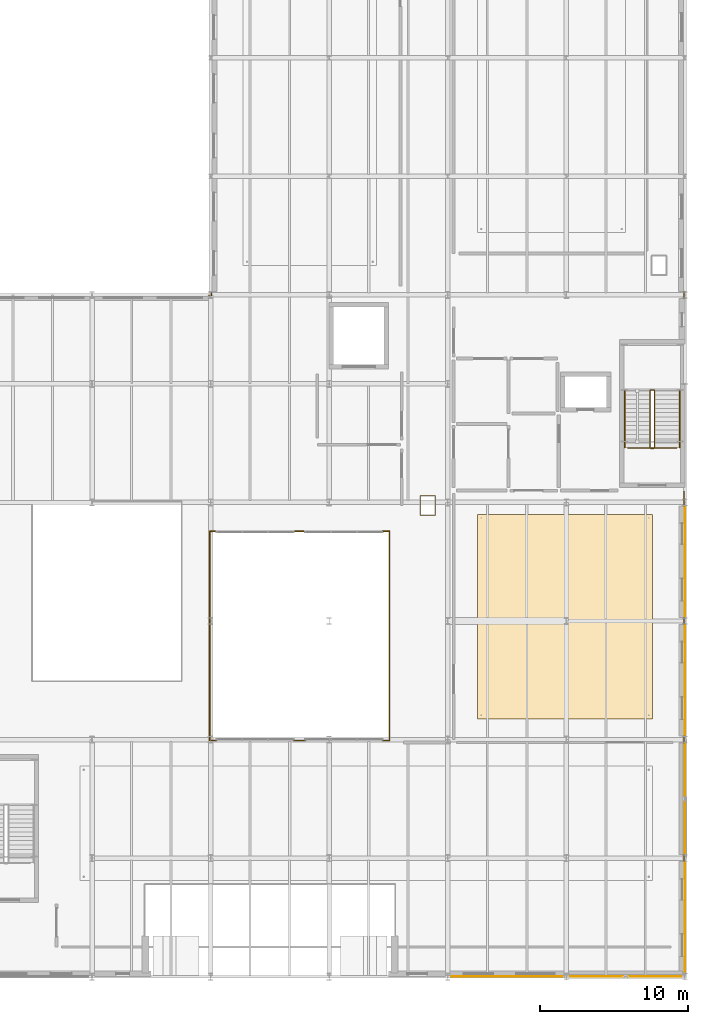
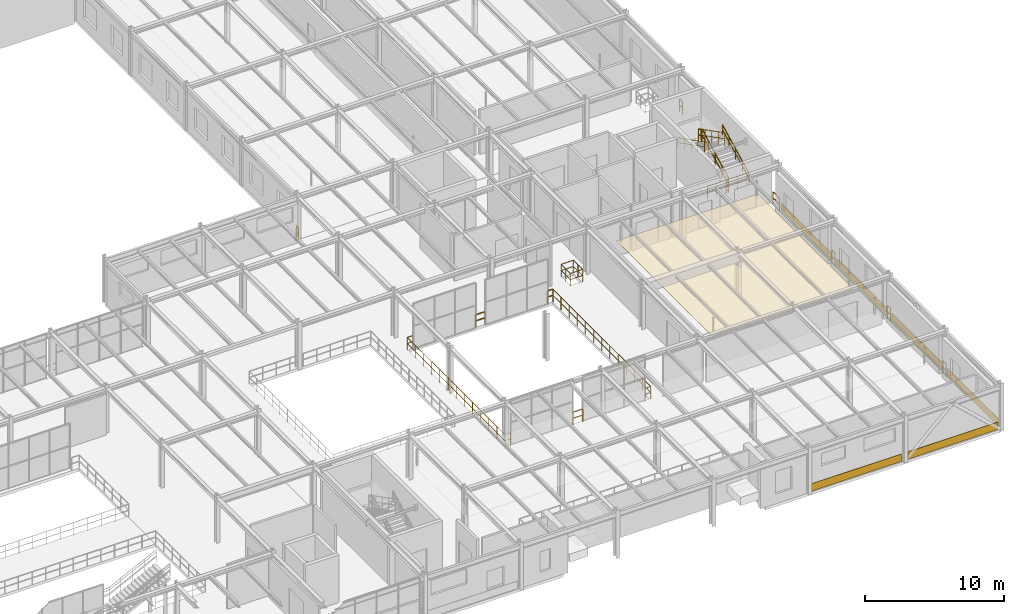
# One storey, part 122 of 124: 20 railings, 7 coverings.
"""IFC4 building model written with IfcOpenShell, lengths in metres."""

from ifc_helpers import new_model, si_unit, direction, frame, origin, origin_2d, place, context, subcontext, project, spatial, polyline, rectangle, circle, outline, extrude, material, layer, layer_set, type_object, element, save


model = new_model("IFC4")

# Units and contexts
model_context = context("Model", 3, precision=1e-05, world=origin(), true_north=direction((0.0, 1.0)))
body_context = subcontext(model_context, "Body", "Model", "MODEL_VIEW")
ifc_project = project(units=[si_unit("LENGTHUNIT", "METRE"), si_unit("AREAUNIT", "SQUARE_METRE"), si_unit("VOLUMEUNIT", "CUBIC_METRE"), si_unit("PLANEANGLEUNIT", "RADIAN"), si_unit("MASSUNIT", "GRAM", prefix="KILO")], contexts=[model_context])

# Site, building, storey
site_placement = place(None, origin())
site = spatial("IfcSite", under=ifc_project, at=site_placement, CompositionType="ELEMENT")
building_placement = place(site_placement, origin())
building = spatial("IfcBuilding", under=site, at=building_placement, Name="Sundkrona Museum", CompositionType="ELEMENT")
storey_placement = place(building_placement, frame((0.0, 0.0, 17.60009765625)))
storey = spatial("IfcBuildingStorey", under=building, at=storey_placement, Name="L03", CompositionType="ELEMENT", Elevation=17.60009765625)

# Coverings
ifc_material_1 = material(Name="Perforated Acoustic Gypsum and Mineral Wool Ceiling", Category="other")
ifc_layer_1 = layer(ifc_material_1, 0.0400390625)
ifc_layer_set_1 = layer_set([ifc_layer_1], Name="Perforated Acoustic Gypsum and Mineral Wool Ceiling")
covering_type_1 = type_object("IfcCoveringType", Name="COV-CEIL-AC", PredefinedType="CEILING", material=ifc_layer_set_1)
covering_placement = place(storey_placement, frame((0.0, 0.0, 2.5498046875)))
element("IfcCovering", 1, at=covering_placement, inside=storey, type_object=covering_type_1, Name="L03 Ornithology Exhibition Hall Acoustic Ceiling", PredefinedType="CEILING", context=body_context, shape_type="SweptSolid", body=[
    extrude(outline(polyline([(154.0, 17.39990234375), (165.800048828125, 17.39990234375), (165.800048828125, 31.199951171875), (154.0, 31.199951171875), (154.0, 17.39990234375)])), origin(), (0.0, 0.0, 1.0), 0.0400390625),
])
ifc_material_2 = material(Name="Frost-Resistant Vitrified Stoneware Mosaic Cladding", Category="masonry")
ifc_layer_2 = layer(ifc_material_2, 0.044921875)
ifc_layer_set_2 = layer_set([ifc_layer_2], Name="Frost-Resistant Vitrified Stoneware Mosaic Cladding")
covering_type_2 = type_object("IfcCoveringType", Name="COV-CLD-MOS", PredefinedType="CLADDING", material=ifc_layer_set_2)
for number, where, z_axis, x_axis, name in (
    (2, (156.0, 0.0, 0.094970703125), (0.0, 0.0, 1.0), (1.0, 0.0, 0.0), "L03 Vitrified Stoneware Mosaic Spandrel 012"),
    (3, (164.0, 0.0, 0.094970703125), (0.0, 0.0, 1.0), (1.0, 0.0, 0.0), "L03 Vitrified Stoneware Mosaic Spandrel 013"),
):
    element("IfcCovering", number, at=place(storey_placement, frame(where, z_axis=z_axis, x_axis=x_axis)), inside=storey, type_object=covering_type_2, Name=name, PredefinedType="CLADDING", context=body_context, shape_type="SweptSolid", body=[
        extrude(rectangle(XDim=7.49609375, YDim=0.044921875, at=origin_2d()), origin(), (0.0, 0.0, 1.0), 0.64990234375),
    ])
for number, where, z_axis, x_axis, name in (
    (4, (168.0, 4.0, 0.094970703125), (0.0, 0.0, 1.0), (0.0, 1.0, 0.0), "L03 Vitrified Stoneware Mosaic Spandrel 014"),
    (5, (168.0, 12.0, 0.094970703125), (0.0, 0.0, 1.0), (0.0, 1.0, 0.0), "L03 Vitrified Stoneware Mosaic Spandrel 015"),
    (6, (168.0, 20.0, 0.094970703125), (0.0, 0.0, 1.0), (0.0, 1.0, 0.0), "L03 Vitrified Stoneware Mosaic Spandrel 016"),
    (7, (168.0, 28.0, 0.094970703125), (0.0, 0.0, 1.0), (0.0, 1.0, 0.0), "L03 Vitrified Stoneware Mosaic Spandrel 017"),
):
    element("IfcCovering", number, at=place(storey_placement, frame(where, z_axis=z_axis, x_axis=x_axis)), inside=storey, type_object=covering_type_2, Name=name, PredefinedType="CLADDING", context=body_context, shape_type="SweptSolid", body=[
        extrude(rectangle(XDim=7.345947265625, YDim=0.044921875, at=origin_2d()), origin(), (0.0, 0.0, 1.0), 0.64990234375),
    ])

# Railings
ifc_material_3 = material(Name="Painted Steel S355J2 and Laminated Glass Balustrade", Category="steel")
railing_type_1 = type_object("IfcRailingType", Name="RL-GUARD-1100", PredefinedType="BALUSTRADE", material=ifc_material_3)
railing_1_placement = place(storey_placement, frame((165.949951171875, 35.699951171875, 0.14990234375)))
element("IfcRailing", 8, at=railing_1_placement, inside=storey, type_object=railing_type_1, Name="L03 ST-1 stair guard 1", PredefinedType="BALUSTRADE", context=body_context, shape_type="SweptSolid", body=[
    extrude(circle(Radius=0.02392578125, at=origin_2d()), frame((0.0, 0.0, 1.076171875), z_axis=(0.0, 0.891387850335, 0.453241326752), x_axis=(-1.0, 0.0, 0.0)), (0.0, 0.0, 1.0), 4.30224609375),
    extrude(circle(Radius=0.02392578125, at=origin_2d()), frame((0.0, 0.0, 0.550048828125), z_axis=(0.0, 0.891387850335, 0.453241326752), x_axis=(-1.0, 0.0, 0.0)), (0.0, 0.0, 1.0), 4.30224609375),
    extrude(circle(Radius=0.02099609375, at=origin_2d()), origin(), (0.0, 0.0, 1.0), 1.052001953125),
    extrude(circle(Radius=0.02099609375, at=origin_2d()), frame((0.0, 0.958740234375, 0.487548828125)), (0.0, 0.0, 1.0), 1.052001953125),
    extrude(circle(Radius=0.02099609375, at=origin_2d()), frame((0.0, 1.91748046875, 0.97509765625)), (0.0, 0.0, 1.0), 1.052001953125),
    extrude(circle(Radius=0.02099609375, at=origin_2d()), frame((0.0, 2.876220703125, 1.46240234375)), (0.0, 0.0, 1.0), 1.052001953125),
    extrude(circle(Radius=0.02099609375, at=origin_2d()), frame((0.0, 3.8349609375, 1.949951171875)), (0.0, 0.0, 1.0), 1.052001953125),
])
railing_2_placement = place(storey_placement, frame((165.89990234375, 39.5849609375, 2.099853515625)))
element("IfcRailing", 9, at=railing_2_placement, inside=storey, type_object=railing_type_1, Name="L03 ST-1 stair guard 2", PredefinedType="BALUSTRADE", context=body_context, shape_type="SweptSolid", body=[
    extrude(circle(Radius=0.02392578125, at=origin_2d()), frame((0.0, 0.0, 1.076171875), z_axis=(-1.0, 0.0, 0.0), x_axis=(0.0, -1.0, 0.0)), (0.0, 0.0, 1.0), 0.199951171875),
    extrude(circle(Radius=0.02392578125, at=origin_2d()), frame((0.0, 0.0, 0.550048828125), z_axis=(-1.0, 0.0, 0.0), x_axis=(0.0, -1.0, 0.0)), (0.0, 0.0, 1.0), 0.199951171875),
    extrude(circle(Radius=0.02099609375, at=origin_2d()), origin(), (0.0, 0.0, 1.0), 1.052001953125),
    extrude(circle(Radius=0.02099609375, at=origin_2d()), frame((-0.199951171875, 0.0, 0.0)), (0.0, 0.0, 1.0), 1.052001953125),
])
railing_3_placement = place(storey_placement, frame((165.64990234375, 39.534912109375, 2.25)))
element("IfcRailing", 10, at=railing_3_placement, inside=storey, type_object=railing_type_1, Name="L03 ST-1 stair guard 3", PredefinedType="BALUSTRADE", context=body_context, shape_type="SweptSolid", body=[
    extrude(circle(Radius=0.02392578125, at=origin_2d()), frame((0.0, 0.0, 1.076171875), z_axis=(0.0, -0.891387850335, 0.453241326752), x_axis=(1.0, 0.0, 0.0)), (0.0, 0.0, 1.0), 4.30224609375),
    extrude(circle(Radius=0.02392578125, at=origin_2d()), frame((0.0, 0.0, 0.550048828125), z_axis=(0.0, -0.891387850335, 0.453241326752), x_axis=(1.0, 0.0, 0.0)), (0.0, 0.0, 1.0), 4.30224609375),
    extrude(circle(Radius=0.02099609375, at=origin_2d()), origin(), (0.0, 0.0, 1.0), 1.052001953125),
    extrude(circle(Radius=0.02099609375, at=origin_2d()), frame((0.0, -0.958740234375, 0.487548828125)), (0.0, 0.0, 1.0), 1.052001953125),
    extrude(circle(Radius=0.02099609375, at=origin_2d()), frame((0.0, -1.91748046875, 0.97509765625)), (0.0, 0.0, 1.0), 1.052001953125),
    extrude(circle(Radius=0.02099609375, at=origin_2d()), frame((0.0, -2.876220703125, 1.46240234375)), (0.0, 0.0, 1.0), 1.052001953125),
    extrude(circle(Radius=0.02099609375, at=origin_2d()), frame((0.0, -3.8349609375, 1.949951171875)), (0.0, 0.0, 1.0), 1.052001953125),
])
railing_4_placement = place(storey_placement, frame((165.89990234375, 35.64990234375, 0.0)))
element("IfcRailing", 11, at=railing_4_placement, inside=storey, type_object=railing_type_1, Name="L03 ST-1 stair guard 4", PredefinedType="BALUSTRADE", context=body_context, shape_type="SweptSolid", body=[
    extrude(circle(Radius=0.02392578125, at=origin_2d()), frame((0.0, 0.0, 1.076171875), z_axis=(-1.0, 0.0, 0.0), x_axis=(0.0, -1.0, 0.0)), (0.0, 0.0, 1.0), 0.199951171875),
    extrude(circle(Radius=0.02392578125, at=origin_2d()), frame((0.0, 0.0, 0.550048828125), z_axis=(-1.0, 0.0, 0.0), x_axis=(0.0, -1.0, 0.0)), (0.0, 0.0, 1.0), 0.199951171875),
    extrude(circle(Radius=0.02099609375, at=origin_2d()), origin(), (0.0, 0.0, 1.0), 1.052001953125),
    extrude(circle(Radius=0.02099609375, at=origin_2d()), frame((-0.199951171875, 0.0, 0.0)), (0.0, 0.0, 1.0), 1.052001953125),
])
railing_5_placement = place(storey_placement, frame((135.847900390625, 45.93994140625, 0.0)))
element("IfcRailing", 12, at=railing_5_placement, inside=storey, type_object=railing_type_1, Name="L03 Edge Protection Balustrade 042", PredefinedType="BALUSTRADE", context=body_context, shape_type="SweptSolid", body=[
    extrude(circle(Radius=0.02392578125, at=origin_2d()), frame((0.0, 0.0, 1.09619140625), z_axis=(1.0, 0.0, 0.0), x_axis=(0.0, 1.0, 0.0)), (0.0, 0.0, 1.0), 0.212158203125),
    extrude(circle(Radius=0.02392578125, at=origin_2d()), frame((0.0, 0.0, 0.56005859375), z_axis=(1.0, 0.0, 0.0), x_axis=(0.0, 1.0, 0.0)), (0.0, 0.0, 1.0), 0.212158203125),
    extrude(circle(Radius=0.02392578125, at=origin_2d()), frame((0.212158203125, 0.0, 1.09619140625), z_axis=(0.0, 1.0, 0.0), x_axis=(-1.0, 0.0, 0.0)), (0.0, 0.0, 1.0), 0.287109375),
    extrude(circle(Radius=0.02392578125, at=origin_2d()), frame((0.212158203125, 0.0, 0.56005859375), z_axis=(0.0, 1.0, 0.0), x_axis=(-1.0, 0.0, 0.0)), (0.0, 0.0, 1.0), 0.287109375),
    extrude(circle(Radius=0.02099609375, at=origin_2d()), origin(), (0.0, 0.0, 1.0), 1.072021484375),
    extrude(circle(Radius=0.02099609375, at=origin_2d()), frame((0.212158203125, 0.0, 0.0)), (0.0, 0.0, 1.0), 1.072021484375),
    extrude(circle(Radius=0.02099609375, at=origin_2d()), frame((0.212158203125, 0.287109375, 0.0)), (0.0, 0.0, 1.0), 1.072021484375),
])
railing_6_placement = place(storey_placement, frame((136.39990234375, 30.06005859375, 0.0)))
element("IfcRailing", 13, at=railing_6_placement, inside=storey, type_object=railing_type_1, Name="L03 Edge Protection Balustrade 045", PredefinedType="BALUSTRADE", context=body_context, shape_type="SweptSolid", body=[
    extrude(circle(Radius=0.02392578125, at=origin_2d()), frame((0.0, 0.0, 1.09619140625), z_axis=(-1.0, 0.0, 0.0), x_axis=(0.0, -1.0, 0.0)), (0.0, 0.0, 1.0), 0.4599609375),
    extrude(circle(Radius=0.02392578125, at=origin_2d()), frame((0.0, 0.0, 0.56005859375), z_axis=(-1.0, 0.0, 0.0), x_axis=(0.0, -1.0, 0.0)), (0.0, 0.0, 1.0), 0.4599609375),
    extrude(circle(Radius=0.02392578125, at=origin_2d()), frame((-0.4599609375, 0.0, 1.09619140625), z_axis=(0.0, -1.0, 0.0), x_axis=(1.0, 0.0, 0.0)), (0.0, 0.0, 1.0), 14.1201171875),
    extrude(circle(Radius=0.02392578125, at=origin_2d()), frame((-0.4599609375, 0.0, 0.56005859375), z_axis=(0.0, -1.0, 0.0), x_axis=(1.0, 0.0, 0.0)), (0.0, 0.0, 1.0), 14.1201171875),
    extrude(circle(Radius=0.02392578125, at=origin_2d()), frame((-0.4599609375, -14.1201171875, 1.09619140625), z_axis=(1.0, 0.0, 0.0), x_axis=(0.0, 1.0, 0.0)), (0.0, 0.0, 1.0), 0.4599609375),
    extrude(circle(Radius=0.02392578125, at=origin_2d()), frame((-0.4599609375, -14.1201171875, 0.56005859375), z_axis=(1.0, 0.0, 0.0), x_axis=(0.0, 1.0, 0.0)), (0.0, 0.0, 1.0), 0.4599609375),
    extrude(circle(Radius=0.02099609375, at=origin_2d()), origin(), (0.0, 0.0, 1.0), 1.072021484375),
    extrude(circle(Radius=0.02099609375, at=origin_2d()), frame((-0.4599609375, 0.0, 0.0)), (0.0, 0.0, 1.0), 1.072021484375),
    extrude(circle(Radius=0.02099609375, at=origin_2d()), frame((-0.4599609375, -1.1767578125, 0.0)), (0.0, 0.0, 1.0), 1.072021484375),
    extrude(circle(Radius=0.02099609375, at=origin_2d()), frame((-0.4599609375, -2.353271484375, 0.0)), (0.0, 0.0, 1.0), 1.072021484375),
    extrude(circle(Radius=0.02099609375, at=origin_2d()), frame((-0.4599609375, -3.530029296875, 0.0)), (0.0, 0.0, 1.0), 1.072021484375),
    extrude(circle(Radius=0.02099609375, at=origin_2d()), frame((-0.4599609375, -4.706787109375, 0.0)), (0.0, 0.0, 1.0), 1.072021484375),
    extrude(circle(Radius=0.02099609375, at=origin_2d()), frame((-0.4599609375, -5.88330078125, 0.0)), (0.0, 0.0, 1.0), 1.072021484375),
    extrude(circle(Radius=0.02099609375, at=origin_2d()), frame((-0.4599609375, -7.06005859375, 0.0)), (0.0, 0.0, 1.0), 1.072021484375),
    extrude(circle(Radius=0.02099609375, at=origin_2d()), frame((-0.4599609375, -8.23681640625, 0.0)), (0.0, 0.0, 1.0), 1.072021484375),
    extrude(circle(Radius=0.02099609375, at=origin_2d()), frame((-0.4599609375, -9.413330078125, 0.0)), (0.0, 0.0, 1.0), 1.072021484375),
    extrude(circle(Radius=0.02099609375, at=origin_2d()), frame((-0.4599609375, -10.590087890625, 0.0)), (0.0, 0.0, 1.0), 1.072021484375),
    extrude(circle(Radius=0.02099609375, at=origin_2d()), frame((-0.4599609375, -11.766845703125, 0.0)), (0.0, 0.0, 1.0), 1.072021484375),
    extrude(circle(Radius=0.02099609375, at=origin_2d()), frame((-0.4599609375, -12.943359375, 0.0)), (0.0, 0.0, 1.0), 1.072021484375),
    extrude(circle(Radius=0.02099609375, at=origin_2d()), frame((-0.4599609375, -14.1201171875, 0.0)), (0.0, 0.0, 1.0), 1.072021484375),
    extrude(circle(Radius=0.02099609375, at=origin_2d()), frame((0.0, -14.1201171875, 0.0)), (0.0, 0.0, 1.0), 1.072021484375),
])
railing_7_placement = place(storey_placement, frame((141.60009765625, 15.93994140625, 0.0)))
element("IfcRailing", 14, at=railing_7_placement, inside=storey, type_object=railing_type_1, Name="L03 Edge Protection Balustrade 046", PredefinedType="BALUSTRADE", context=body_context, shape_type="SweptSolid", body=[
    extrude(circle(Radius=0.02392578125, at=origin_2d()), frame((0.0, 0.0, 1.09619140625), z_axis=(1.0, 0.0, 0.0), x_axis=(0.0, 1.0, 0.0)), (0.0, 0.0, 1.0), 0.7998046875),
    extrude(circle(Radius=0.02392578125, at=origin_2d()), frame((0.0, 0.0, 0.56005859375), z_axis=(1.0, 0.0, 0.0), x_axis=(0.0, 1.0, 0.0)), (0.0, 0.0, 1.0), 0.7998046875),
    extrude(circle(Radius=0.02099609375, at=origin_2d()), origin(), (0.0, 0.0, 1.0), 1.072021484375),
    extrude(circle(Radius=0.02099609375, at=origin_2d()), frame((0.7998046875, 0.0, 0.0)), (0.0, 0.0, 1.0), 1.072021484375),
])
railing_8_placement = place(storey_placement, frame((142.39990234375, 30.06005859375, 0.0)))
element("IfcRailing", 15, at=railing_8_placement, inside=storey, type_object=railing_type_1, Name="L03 Edge Protection Balustrade 047", PredefinedType="BALUSTRADE", context=body_context, shape_type="SweptSolid", body=[
    extrude(circle(Radius=0.02392578125, at=origin_2d()), frame((0.0, 0.0, 1.09619140625), z_axis=(-1.0, 0.0, 0.0), x_axis=(0.0, -1.0, 0.0)), (0.0, 0.0, 1.0), 0.7998046875),
    extrude(circle(Radius=0.02392578125, at=origin_2d()), frame((0.0, 0.0, 0.56005859375), z_axis=(-1.0, 0.0, 0.0), x_axis=(0.0, -1.0, 0.0)), (0.0, 0.0, 1.0), 0.7998046875),
    extrude(circle(Radius=0.02099609375, at=origin_2d()), origin(), (0.0, 0.0, 1.0), 1.072021484375),
    extrude(circle(Radius=0.02099609375, at=origin_2d()), frame((-0.7998046875, 0.0, 0.0)), (0.0, 0.0, 1.0), 1.072021484375),
])
railing_9_placement = place(storey_placement, frame((147.60009765625, 15.93994140625, 0.0)))
element("IfcRailing", 16, at=railing_9_placement, inside=storey, type_object=railing_type_1, Name="L03 Edge Protection Balustrade 049", PredefinedType="BALUSTRADE", context=body_context, shape_type="SweptSolid", body=[
    extrude(circle(Radius=0.02392578125, at=origin_2d()), frame((0.0, 0.0, 1.09619140625), z_axis=(1.0, 0.0, 0.0), x_axis=(0.0, 1.0, 0.0)), (0.0, 0.0, 1.0), 0.4599609375),
    extrude(circle(Radius=0.02392578125, at=origin_2d()), frame((0.0, 0.0, 0.56005859375), z_axis=(1.0, 0.0, 0.0), x_axis=(0.0, 1.0, 0.0)), (0.0, 0.0, 1.0), 0.4599609375),
    extrude(circle(Radius=0.02392578125, at=origin_2d()), frame((0.4599609375, 0.0, 1.09619140625), z_axis=(0.0, 1.0, 0.0), x_axis=(-1.0, 0.0, 0.0)), (0.0, 0.0, 1.0), 14.1201171875),
    extrude(circle(Radius=0.02392578125, at=origin_2d()), frame((0.4599609375, 0.0, 0.56005859375), z_axis=(0.0, 1.0, 0.0), x_axis=(-1.0, 0.0, 0.0)), (0.0, 0.0, 1.0), 14.1201171875),
    extrude(circle(Radius=0.02099609375, at=origin_2d()), origin(), (0.0, 0.0, 1.0), 1.072021484375),
    extrude(circle(Radius=0.02099609375, at=origin_2d()), frame((0.4599609375, 0.0, 0.0)), (0.0, 0.0, 1.0), 1.072021484375),
    extrude(circle(Radius=0.02099609375, at=origin_2d()), frame((0.4599609375, 1.1767578125, 0.0)), (0.0, 0.0, 1.0), 1.072021484375),
    extrude(circle(Radius=0.02099609375, at=origin_2d()), frame((0.4599609375, 2.353271484375, 0.0)), (0.0, 0.0, 1.0), 1.072021484375),
    extrude(circle(Radius=0.02099609375, at=origin_2d()), frame((0.4599609375, 3.530029296875, 0.0)), (0.0, 0.0, 1.0), 1.072021484375),
    extrude(circle(Radius=0.02099609375, at=origin_2d()), frame((0.4599609375, 4.706787109375, 0.0)), (0.0, 0.0, 1.0), 1.072021484375),
    extrude(circle(Radius=0.02099609375, at=origin_2d()), frame((0.4599609375, 5.88330078125, 0.0)), (0.0, 0.0, 1.0), 1.072021484375),
    extrude(circle(Radius=0.02099609375, at=origin_2d()), frame((0.4599609375, 7.06005859375, 0.0)), (0.0, 0.0, 1.0), 1.072021484375),
    extrude(circle(Radius=0.02099609375, at=origin_2d()), frame((0.4599609375, 8.23681640625, 0.0)), (0.0, 0.0, 1.0), 1.072021484375),
    extrude(circle(Radius=0.02099609375, at=origin_2d()), frame((0.4599609375, 9.413330078125, 0.0)), (0.0, 0.0, 1.0), 1.072021484375),
    extrude(circle(Radius=0.02099609375, at=origin_2d()), frame((0.4599609375, 10.590087890625, 0.0)), (0.0, 0.0, 1.0), 1.072021484375),
    extrude(circle(Radius=0.02099609375, at=origin_2d()), frame((0.4599609375, 11.766845703125, 0.0)), (0.0, 0.0, 1.0), 1.072021484375),
    extrude(circle(Radius=0.02099609375, at=origin_2d()), frame((0.4599609375, 12.943359375, 0.0)), (0.0, 0.0, 1.0), 1.072021484375),
    extrude(circle(Radius=0.02099609375, at=origin_2d()), frame((0.4599609375, 14.1201171875, 0.0)), (0.0, 0.0, 1.0), 1.072021484375),
])
railing_10_placement = place(storey_placement, frame((148.06005859375, 30.06005859375, 0.0)))
element("IfcRailing", 17, at=railing_10_placement, inside=storey, type_object=railing_type_1, Name="L03 Edge Protection Balustrade 050", PredefinedType="BALUSTRADE", context=body_context, shape_type="SweptSolid", body=[
    extrude(circle(Radius=0.02392578125, at=origin_2d()), frame((0.0, 0.0, 1.09619140625), z_axis=(-1.0, 0.0, 0.0), x_axis=(0.0, -1.0, 0.0)), (0.0, 0.0, 1.0), 0.4599609375),
    extrude(circle(Radius=0.02392578125, at=origin_2d()), frame((0.0, 0.0, 0.56005859375), z_axis=(-1.0, 0.0, 0.0), x_axis=(0.0, -1.0, 0.0)), (0.0, 0.0, 1.0), 0.4599609375),
    extrude(circle(Radius=0.02099609375, at=origin_2d()), origin(), (0.0, 0.0, 1.0), 1.072021484375),
    extrude(circle(Radius=0.02099609375, at=origin_2d()), frame((-0.4599609375, 0.0, 0.0)), (0.0, 0.0, 1.0), 1.072021484375),
])
railing_11_placement = place(storey_placement, frame((151.159912109375, 32.4599609375, 0.0)))
element("IfcRailing", 18, at=railing_11_placement, inside=storey, type_object=railing_type_1, Name="L03 Edge Protection Balustrade 051", PredefinedType="BALUSTRADE", context=body_context, shape_type="SweptSolid", body=[
    extrude(circle(Radius=0.02392578125, at=origin_2d()), frame((0.0, 0.0, 1.09619140625), z_axis=(-1.0, 0.0, 0.0), x_axis=(0.0, -1.0, 0.0)), (0.0, 0.0, 1.0), 1.02001953125),
    extrude(circle(Radius=0.02392578125, at=origin_2d()), frame((0.0, 0.0, 0.56005859375), z_axis=(-1.0, 0.0, 0.0), x_axis=(0.0, -1.0, 0.0)), (0.0, 0.0, 1.0), 1.02001953125),
    extrude(circle(Radius=0.02392578125, at=origin_2d()), frame((-1.02001953125, 0.0, 1.09619140625), z_axis=(0.0, -1.0, 0.0), x_axis=(1.0, 0.0, 0.0)), (0.0, 0.0, 1.0), 1.320068359375),
    extrude(circle(Radius=0.02392578125, at=origin_2d()), frame((-1.02001953125, 0.0, 0.56005859375), z_axis=(0.0, -1.0, 0.0), x_axis=(1.0, 0.0, 0.0)), (0.0, 0.0, 1.0), 1.320068359375),
    extrude(circle(Radius=0.02392578125, at=origin_2d()), frame((-1.02001953125, -1.320068359375, 1.09619140625), z_axis=(1.0, 0.0, 0.0), x_axis=(0.0, 1.0, 0.0)), (0.0, 0.0, 1.0), 1.02001953125),
    extrude(circle(Radius=0.02392578125, at=origin_2d()), frame((-1.02001953125, -1.320068359375, 0.56005859375), z_axis=(1.0, 0.0, 0.0), x_axis=(0.0, 1.0, 0.0)), (0.0, 0.0, 1.0), 1.02001953125),
    extrude(circle(Radius=0.02392578125, at=origin_2d()), frame((0.0, -1.320068359375, 1.09619140625), z_axis=(0.0, 1.0, 0.0), x_axis=(-1.0, 0.0, 0.0)), (0.0, 0.0, 1.0), 1.320068359375),
    extrude(circle(Radius=0.02392578125, at=origin_2d()), frame((0.0, -1.320068359375, 0.56005859375), z_axis=(0.0, 1.0, 0.0), x_axis=(-1.0, 0.0, 0.0)), (0.0, 0.0, 1.0), 1.320068359375),
    extrude(circle(Radius=0.02099609375, at=origin_2d()), origin(), (0.0, 0.0, 1.0), 1.072021484375),
    extrude(circle(Radius=0.02099609375, at=origin_2d()), frame((-1.02001953125, 0.0, 0.0)), (0.0, 0.0, 1.0), 1.072021484375),
    extrude(circle(Radius=0.02099609375, at=origin_2d()), frame((-1.02001953125, -0.66015625, 0.0)), (0.0, 0.0, 1.0), 1.072021484375),
    extrude(circle(Radius=0.02099609375, at=origin_2d()), frame((-1.02001953125, -1.320068359375, 0.0)), (0.0, 0.0, 1.0), 1.072021484375),
    extrude(circle(Radius=0.02099609375, at=origin_2d()), frame((0.0, -1.320068359375, 0.0)), (0.0, 0.0, 1.0), 1.072021484375),
    extrude(circle(Radius=0.02099609375, at=origin_2d()), frame((0.0, -0.66015625, 0.0)), (0.0, 0.0, 1.0), 1.072021484375),
])
for number, where, name in (
    (19, (164.179931640625, 35.6650390625, 0.0), "L03 Edge Protection Balustrade 053"),
    (20, (165.89990234375, 35.6650390625, 0.0), "L03 Edge Protection Balustrade 055"),
):
    element("IfcRailing", number, at=place(storey_placement, frame(where)), inside=storey, type_object=railing_type_1, Name=name, PredefinedType="BALUSTRADE", context=body_context, shape_type="SweptSolid", body=[
        extrude(circle(Radius=0.02392578125, at=origin_2d()), frame((0.0, 0.0, 1.09619140625), z_axis=(1.0, 0.0, 0.0), x_axis=(0.0, 1.0, 0.0)), (0.0, 0.0, 1.0), 1.52001953125),
        extrude(circle(Radius=0.02392578125, at=origin_2d()), frame((0.0, 0.0, 0.56005859375), z_axis=(1.0, 0.0, 0.0), x_axis=(0.0, 1.0, 0.0)), (0.0, 0.0, 1.0), 1.52001953125),
        extrude(circle(Radius=0.02099609375, at=origin_2d()), origin(), (0.0, 0.0, 1.0), 1.072021484375),
        extrude(circle(Radius=0.02099609375, at=origin_2d()), frame((0.760009765625, 0.0, 0.0)), (0.0, 0.0, 1.0), 1.072021484375),
        extrude(circle(Radius=0.02099609375, at=origin_2d()), frame((1.52001953125, 0.0, 0.0)), (0.0, 0.0, 1.0), 1.072021484375),
    ])
for number, where, name in (
    (21, (167.93994140625, 8.22705078125, 0.0), "L03 Edge Protection Balustrade 056"),
    (22, (167.93994140625, 16.22705078125, 0.0), "L03 Edge Protection Balustrade 057"),
    (23, (167.93994140625, 24.22705078125, 0.0), "L03 Edge Protection Balustrade 058"),
):
    element("IfcRailing", number, at=place(storey_placement, frame(where)), inside=storey, type_object=railing_type_1, Name=name, PredefinedType="BALUSTRADE", context=body_context, shape_type="SweptSolid", body=[
        extrude(circle(Radius=0.02392578125, at=origin_2d()), frame((0.0, 0.0, 1.09619140625), z_axis=(0.0, -1.0, 0.0), x_axis=(1.0, 0.0, 0.0)), (0.0, 0.0, 1.0), 0.4541015625),
        extrude(circle(Radius=0.02392578125, at=origin_2d()), frame((0.0, 0.0, 0.56005859375), z_axis=(0.0, -1.0, 0.0), x_axis=(1.0, 0.0, 0.0)), (0.0, 0.0, 1.0), 0.4541015625),
        extrude(circle(Radius=0.02099609375, at=origin_2d()), origin(), (0.0, 0.0, 1.0), 1.072021484375),
        extrude(circle(Radius=0.02099609375, at=origin_2d()), frame((0.0, -0.4541015625, 0.0)), (0.0, 0.0, 1.0), 1.072021484375),
    ])
railing_12_placement = place(storey_placement, frame((167.93994140625, 32.719970703125, 0.0)))
element("IfcRailing", 24, at=railing_12_placement, inside=storey, type_object=railing_type_1, Name="L03 Edge Protection Balustrade 059", PredefinedType="BALUSTRADE", context=body_context, shape_type="SweptSolid", body=[
    extrude(circle(Radius=0.02392578125, at=origin_2d()), frame((0.0, 0.0, 1.09619140625), z_axis=(0.0, -1.0, 0.0), x_axis=(1.0, 0.0, 0.0)), (0.0, 0.0, 1.0), 0.947021484375),
    extrude(circle(Radius=0.02392578125, at=origin_2d()), frame((0.0, 0.0, 0.56005859375), z_axis=(0.0, -1.0, 0.0), x_axis=(1.0, 0.0, 0.0)), (0.0, 0.0, 1.0), 0.947021484375),
    extrude(circle(Radius=0.02099609375, at=origin_2d()), origin(), (0.0, 0.0, 1.0), 1.072021484375),
    extrude(circle(Radius=0.02099609375, at=origin_2d()), frame((0.0, -0.947021484375, 0.0)), (0.0, 0.0, 1.0), 1.072021484375),
])
railing_13_placement = place(storey_placement, frame((167.93994140625, 46.22705078125, 0.0)))
element("IfcRailing", 25, at=railing_13_placement, inside=storey, type_object=railing_type_1, Name="L03 Edge Protection Balustrade 060", PredefinedType="BALUSTRADE", context=body_context, shape_type="SweptSolid", body=[
    extrude(circle(Radius=0.02392578125, at=origin_2d()), frame((0.0, 0.0, 1.09619140625), z_axis=(0.0, -1.0, 0.0), x_axis=(1.0, 0.0, 0.0)), (0.0, 0.0, 1.0), 0.4541015625),
    extrude(circle(Radius=0.02392578125, at=origin_2d()), frame((0.0, 0.0, 0.56005859375), z_axis=(0.0, -1.0, 0.0), x_axis=(1.0, 0.0, 0.0)), (0.0, 0.0, 1.0), 0.4541015625),
    extrude(circle(Radius=0.02099609375, at=origin_2d()), origin(), (0.0, 0.0, 1.0), 1.072021484375),
    extrude(circle(Radius=0.02099609375, at=origin_2d()), frame((0.0, -0.4541015625, 0.0)), (0.0, 0.0, 1.0), 1.072021484375),
])
ifc_material_4 = material(Name="Brushed Bronze-Clad Steel Handrail", Category="steel")
railing_type_2 = type_object("IfcRailingType", Name="RL-HAND-900", PredefinedType="HANDRAIL", material=ifc_material_4)
railing_14_placement = place(storey_placement, frame((167.64990234375, 35.699951171875, 0.14990234375)))
element("IfcRailing", 26, at=railing_14_placement, inside=storey, type_object=railing_type_2, Name="L03 ST-1 stair handrail 1", PredefinedType="HANDRAIL", context=body_context, shape_type="SweptSolid", body=[
    extrude(circle(Radius=0.02392578125, at=origin_2d()), frame((0.0, 0.0, 0.8759765625), z_axis=(0.0, 0.891387850335, 0.453241326752), x_axis=(-1.0, 0.0, 0.0)), (0.0, 0.0, 1.0), 4.30224609375),
    extrude(circle(Radius=0.02392578125, at=origin_2d()), frame((0.0, 0.0, 0.449951171875), z_axis=(0.0, 0.891387850335, 0.453241326752), x_axis=(-1.0, 0.0, 0.0)), (0.0, 0.0, 1.0), 4.30224609375),
    extrude(circle(Radius=0.02099609375, at=origin_2d()), origin(), (0.0, 0.0, 1.0), 0.851806640625),
    extrude(circle(Radius=0.02099609375, at=origin_2d()), frame((0.0, 0.958740234375, 0.487548828125)), (0.0, 0.0, 1.0), 0.851806640625),
    extrude(circle(Radius=0.02099609375, at=origin_2d()), frame((0.0, 1.91748046875, 0.97509765625)), (0.0, 0.0, 1.0), 0.851806640625),
    extrude(circle(Radius=0.02099609375, at=origin_2d()), frame((0.0, 2.876220703125, 1.46240234375)), (0.0, 0.0, 1.0), 0.851806640625),
    extrude(circle(Radius=0.02099609375, at=origin_2d()), frame((0.0, 3.8349609375, 1.949951171875)), (0.0, 0.0, 1.0), 0.851806640625),
])
railing_15_placement = place(storey_placement, frame((163.949951171875, 39.534912109375, 2.25)))
element("IfcRailing", 27, at=railing_15_placement, inside=storey, type_object=railing_type_2, Name="L03 ST-1 stair handrail 2", PredefinedType="HANDRAIL", context=body_context, shape_type="SweptSolid", body=[
    extrude(circle(Radius=0.02392578125, at=origin_2d()), frame((0.0, 0.0, 0.8759765625), z_axis=(0.0, -0.891387850335, 0.453241326752), x_axis=(1.0, 0.0, 0.0)), (0.0, 0.0, 1.0), 4.30224609375),
    extrude(circle(Radius=0.02392578125, at=origin_2d()), frame((0.0, 0.0, 0.449951171875), z_axis=(0.0, -0.891387850335, 0.453241326752), x_axis=(1.0, 0.0, 0.0)), (0.0, 0.0, 1.0), 4.30224609375),
    extrude(circle(Radius=0.02099609375, at=origin_2d()), origin(), (0.0, 0.0, 1.0), 0.851806640625),
    extrude(circle(Radius=0.02099609375, at=origin_2d()), frame((0.0, -0.958740234375, 0.487548828125)), (0.0, 0.0, 1.0), 0.851806640625),
    extrude(circle(Radius=0.02099609375, at=origin_2d()), frame((0.0, -1.91748046875, 0.97509765625)), (0.0, 0.0, 1.0), 0.851806640625),
    extrude(circle(Radius=0.02099609375, at=origin_2d()), frame((0.0, -2.876220703125, 1.46240234375)), (0.0, 0.0, 1.0), 0.851806640625),
    extrude(circle(Radius=0.02099609375, at=origin_2d()), frame((0.0, -3.8349609375, 1.949951171875)), (0.0, 0.0, 1.0), 0.851806640625),
])

save(model, "model.ifc")
